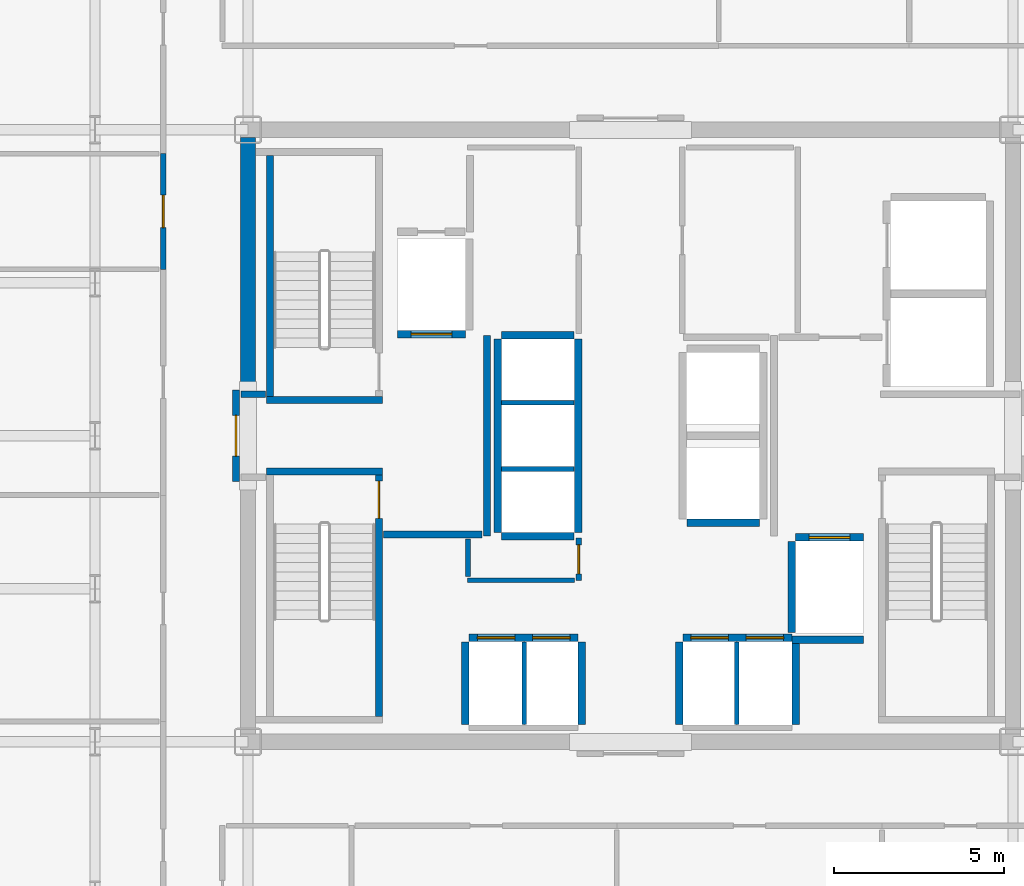
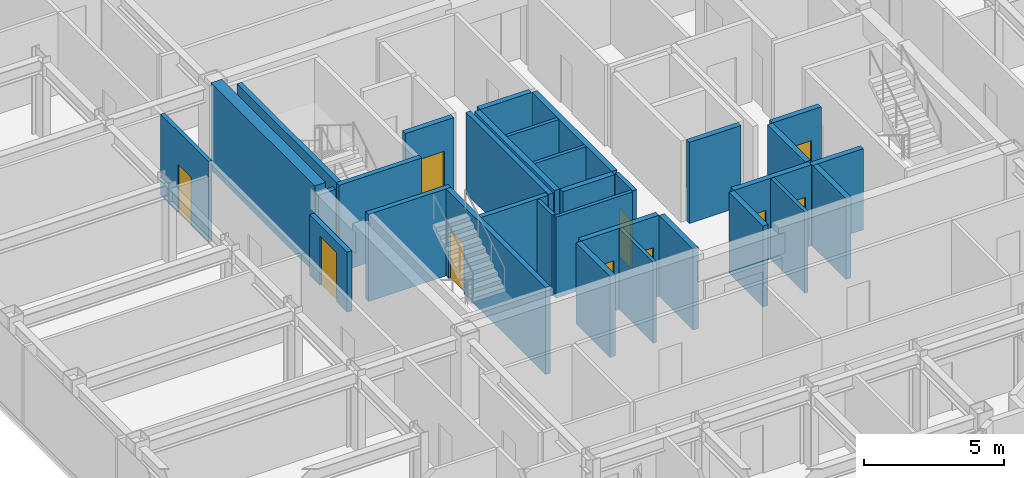
# One storey, part 15 of 20: 32 walls, 10 doors, 10 openings.
"""IFC4 building model written with IfcOpenShell, lengths in metres."""

from ifc_helpers import new_model, si_unit, direction, frame, frame_2d, origin, place, context, subcontext, project, spatial, rectangle, extrude, source, transform, mapped, material, layer, layer_set, type_object, element, fill, save


model = new_model("IFC4")

# Units and contexts
model_context = context("Model", 3, precision=1e-05, world=origin(), true_north=direction((0.0, 1.0)))
body_context = subcontext(model_context, "Body", "Model", "MODEL_VIEW")
ifc_project = project(units=[si_unit("LENGTHUNIT", "METRE"), si_unit("AREAUNIT", "SQUARE_METRE"), si_unit("VOLUMEUNIT", "CUBIC_METRE"), si_unit("PLANEANGLEUNIT", "RADIAN"), si_unit("MASSUNIT", "GRAM", prefix="KILO")], contexts=[model_context])

# Site, building, storey
site_placement = place(None, origin())
site = spatial("IfcSite", under=ifc_project, at=site_placement, CompositionType="ELEMENT")
building_placement = place(site_placement, origin())
building = spatial("IfcBuilding", under=site, at=building_placement, Name="Nefas-Gora Pilgrimage Tower", CompositionType="ELEMENT")
storey_placement = place(building_placement, frame((0.0, 0.0, 214.199951171875)))
storey = spatial("IfcBuildingStorey", under=building, at=storey_placement, Name="L53", CompositionType="ELEMENT", Elevation=214.199951171875)

# Walls
ifc_material_1 = material(Name="Concrete C50/60", Category="concrete")
ifc_layer_1 = layer(ifc_material_1, 0.449951171875)
ifc_layer_set_1 = layer_set([ifc_layer_1], Name="Concrete C50/60")
wall_type_1 = type_object("IfcWallType", Name="SW-CORE-450", PredefinedType="SHEAR", material=ifc_layer_set_1)
shared_shape_1 = source(origin(), body_context, "Body", "SweptSolid", [
    extrude(rectangle(XDim=7.4248046875, YDim=0.449951171875, at=frame_2d((3.71240234375, 0.0))), origin(), (0.0, 0.0, 1.0), 3.800048828125),
])
wall_1_placement = place(storey_placement, frame((-11.25, 1.35009765625, 0.0), z_axis=(0.0, 0.0, 1.0), x_axis=(0.0, 1.0, 0.0)))
element("IfcWall", 1, at=wall_1_placement, inside=storey, type_object=wall_type_1, Name="L53 Core Shear Wall W-North", PredefinedType="SHEAR", context=body_context, shape_type="MappedRepresentation", body=[
    mapped(shared_shape_1, transform((0.0, 0.0, 0.0), x_axis=(1.0, 0.0, 0.0), y_axis=(0.0, 1.0, 0.0), z_axis=(0.0, 0.0, 1.0), scale=1.0)),
])
ifc_material_2 = material(Name="Concrete C45/55", Category="concrete")
ifc_layer_2 = layer(ifc_material_2, 0.199951171875)
ifc_layer_set_2 = layer_set([ifc_layer_2], Name="Concrete C45/55")
wall_type_2 = type_object("IfcWallType", Name="IW-STAIR-200", PredefinedType="SOLIDWALL", material=ifc_layer_set_2)
shared_shape_2 = source(origin(), body_context, "Body", "SweptSolid", [
    extrude(rectangle(XDim=3.39990234375, YDim=0.199951171875, at=frame_2d((1.699951171875, 0.0))), origin(), (0.0, 0.0, 1.0), 3.800048828125),
])
for number, where, z_axis, x_axis, name in (
    (2, (-7.300048828125, 1.050048828125, 0.0), (0.0, 0.0, 1.0), (-1.0, 0.0, 0.0), "L53 Stairwell Shear Wall ST-01-near"),
    (3, (-10.699951171875, -1.050048828125, 0.0), (0.0, 0.0, 1.0), (1.0, 0.0, 0.0), "L53 Stairwell Shear Wall ST-03-near"),
):
    element("IfcWall", number, at=place(storey_placement, frame(where, z_axis=z_axis, x_axis=x_axis)), inside=storey, type_object=wall_type_2, Name=name, PredefinedType="SOLIDWALL", context=body_context, shape_type="MappedRepresentation", body=[
        mapped(shared_shape_2, transform((0.0, 0.0, 0.0), x_axis=(1.0, 0.0, 0.0), y_axis=(0.0, 1.0, 0.0), z_axis=(0.0, 0.0, 1.0), scale=1.0)),
    ])
shared_shape_3 = source(origin(), body_context, "Body", "SweptSolid", [
    extrude(rectangle(XDim=7.10009765625, YDim=0.199951171875, at=frame_2d((3.550048828125, 0.0))), origin(), (0.0, 0.0, 1.0), 3.800048828125),
])
wall_2_placement = place(storey_placement, frame((-10.60009765625, 1.14990234375, 0.0), z_axis=(0.0, 0.0, 1.0), x_axis=(0.0, 1.0, 0.0)))
element("IfcWall", 4, at=wall_2_placement, inside=storey, type_object=wall_type_2, Name="L53 Stairwell Shear Wall ST-01-right", PredefinedType="SOLIDWALL", context=body_context, shape_type="MappedRepresentation", body=[
    mapped(shared_shape_3, transform((0.0, 0.0, 0.0), x_axis=(1.0, 0.0, 0.0), y_axis=(0.0, 1.0, 0.0), z_axis=(0.0, 0.0, 1.0), scale=1.0)),
])

# Wall, opening, door
wall_3_placement = place(storey_placement, frame((-7.39990234375, -1.14990234375, 0.0), z_axis=(0.0, 0.0, 1.0), x_axis=(0.0, -1.0, 0.0)))
wall_3 = element("IfcWall", 5, at=wall_3_placement, inside=storey, type_object=wall_type_2, Name="L53 Stairwell Shear Wall ST-03-right", PredefinedType="SOLIDWALL", context=body_context, shape_type="MappedRepresentation", body=[
    mapped(shared_shape_3, transform((0.0, 0.0, 0.0), x_axis=(1.0, 0.0, 0.0), y_axis=(0.0, 1.0, 0.0), z_axis=(0.0, 0.0, 1.0), scale=1.0)),
])
opening_1_placement = place(wall_3_placement, frame((0.179931640625, 0.0, 0.0)))
opening_1 = element("IfcOpeningElement", 6, at=opening_1_placement, cuts=wall_3, Name="Opening ID-ST1", PredefinedType="OPENING", context=body_context, shape_type="SweptSolid", body=[
    extrude(rectangle(XDim=1.10009765625, YDim=2.14990234375, at=frame_2d((0.550048828125, 1.074951171875))), frame((0.0, 0.10986328125, 0.0), z_axis=(0.0, -1.0, 0.0), x_axis=(1.0, 0.0, 0.0)), (0.0, 0.0, 1.0), 0.219970703125),
])
ifc_material_3 = material(Name="Painted galvanised steel fire stair door", Category="steel")
door_type_1 = type_object("IfcDoorType", Name="DR-INT-STAIR-1100", OperationType="NOTDEFINED", PredefinedType="DOOR", material=ifc_material_3)
shared_shape_4 = source(origin(), body_context, "Body", "SweptSolid", [
    extrude(rectangle(XDim=1.10009765625, YDim=2.14990234375, at=frame_2d((0.550048828125, 1.074951171875))), frame((0.0, 0.02490234375, 0.0), z_axis=(0.0, -1.0, 0.0), x_axis=(1.0, 0.0, 0.0)), (0.0, 0.0, 1.0), 0.050048828125),
])
door_1_placement = place(opening_1_placement, origin())
door_1 = element("IfcDoor", 7, at=door_1_placement, inside=storey, type_object=door_type_1, Name="L53 Protected Exit Stair Door ST-03", OperationType="SINGLE_SWING_LEFT", OverallHeight=2.14990234375, OverallWidth=1.10009765625, PredefinedType="DOOR", context=body_context, shape_type="MappedRepresentation", body=[
    mapped(shared_shape_4, transform((0.0, 0.0, 0.0), x_axis=(1.0, 0.0, 0.0), y_axis=(0.0, 1.0, 0.0), z_axis=(0.0, 0.0, 1.0), scale=1.0)),
])
fill(opening_1, door_1)

ifc_material_4 = material(Name="Concrete C40/50", Category="concrete")
ifc_layer_3 = layer(ifc_material_4, 0.219970703125)
ifc_layer_set_3 = layer_set([ifc_layer_3], Name="Concrete C40/50")
wall_type_3 = type_object("IfcWallType", Name="IW-SHAFT-220", PredefinedType="SOLIDWALL", material=ifc_layer_set_3)
shared_shape_5 = source(origin(), body_context, "Body", "SweptSolid", [
    extrude(rectangle(XDim=2.0, YDim=0.219970703125, at=frame_2d((1.0, 0.0))), origin(), (0.0, 0.0, 1.0), 3.53515625),
])
wall_4_placement = place(storey_placement, frame((-6.85009765625, 2.989990234375, 0.0), z_axis=(0.0, 0.0, 1.0), x_axis=(1.0, 0.0, 0.0)))
wall_4 = element("IfcWall", 8, at=wall_4_placement, inside=storey, type_object=wall_type_3, Name="L53 Hoistway Wall FFL-01-S", PredefinedType="SOLIDWALL", context=body_context, shape_type="MappedRepresentation", body=[
    mapped(shared_shape_5, transform((0.0, 0.0, 0.0), x_axis=(1.0, 0.0, 0.0), y_axis=(0.0, 1.0, 0.0), z_axis=(0.0, 0.0, 1.0), scale=1.0)),
])
opening_2_placement = place(wall_4_placement, frame((0.39990234375, 0.0, 0.0)))
opening_2 = element("IfcOpeningElement", 9, at=opening_2_placement, cuts=wall_4, Name="Opening LD-FF", PredefinedType="OPENING", context=body_context, shape_type="SweptSolid", body=[
    extrude(rectangle(XDim=1.199951171875, YDim=2.199951171875, at=frame_2d((0.60009765625, 1.10009765625))), frame((0.0, 0.119873046875, 0.0), z_axis=(0.0, -1.0, 0.0), x_axis=(1.0, 0.0, 0.0)), (0.0, 0.0, 1.0), 0.239990234375),
])
ifc_material_5 = material(Name="Fire-service sliding lift landing door")
door_type_2 = type_object("IfcDoorType", Name="DR-LIFT-FSAE-1200", OperationType="SLIDING_TO_LEFT", PredefinedType="DOOR", material=ifc_material_5)
shared_shape_6 = source(origin(), body_context, "Body", "SweptSolid", [
    extrude(rectangle(XDim=1.199951171875, YDim=2.199951171875, at=frame_2d((0.60009765625, 1.10009765625))), frame((0.0, 0.02490234375, 0.0), z_axis=(0.0, -1.0, 0.0), x_axis=(1.0, 0.0, 0.0)), (0.0, 0.0, 1.0), 0.050048828125),
])
door_2_placement = place(opening_2_placement, origin())
door_2 = element("IfcDoor", 10, at=door_2_placement, inside=storey, type_object=door_type_2, Name="L53 Sliding Lift Landing Door FFL-01", OperationType="SLIDING_TO_LEFT", OverallHeight=2.199951171875, OverallWidth=1.199951171875, PredefinedType="DOOR", context=body_context, shape_type="MappedRepresentation", body=[
    mapped(shared_shape_6, transform((0.0, 0.0, 0.0), x_axis=(1.0, 0.0, 0.0), y_axis=(0.0, 1.0, 0.0), z_axis=(0.0, 0.0, 1.0), scale=1.0)),
])
fill(opening_2, door_2)

wall_5_placement = place(storey_placement, frame((6.85009765625, -2.989990234375, 0.0), z_axis=(0.0, 0.0, 1.0), x_axis=(-1.0, 0.0, 0.0)))
wall_5 = element("IfcWall", 11, at=wall_5_placement, inside=storey, type_object=wall_type_3, Name="L53 Hoistway Wall FFL-02-N", PredefinedType="SOLIDWALL", context=body_context, shape_type="MappedRepresentation", body=[
    mapped(shared_shape_5, transform((0.0, 0.0, 0.0), x_axis=(1.0, 0.0, 0.0), y_axis=(0.0, 1.0, 0.0), z_axis=(0.0, 0.0, 1.0), scale=1.0)),
])
opening_3_placement = place(wall_5_placement, frame((0.39990234375, 0.0, 0.0)))
opening_3 = element("IfcOpeningElement", 12, at=opening_3_placement, cuts=wall_5, Name="Opening LD-FF", PredefinedType="OPENING", context=body_context, shape_type="SweptSolid", body=[
    extrude(rectangle(XDim=1.199951171875, YDim=2.199951171875, at=frame_2d((0.60009765625, 1.10009765625))), frame((0.0, 0.119873046875, 0.0), z_axis=(0.0, -1.0, 0.0), x_axis=(1.0, 0.0, 0.0)), (0.0, 0.0, 1.0), 0.239990234375),
])
door_3_placement = place(opening_3_placement, origin())
door_3 = element("IfcDoor", 13, at=door_3_placement, inside=storey, type_object=door_type_2, Name="L53 Sliding Lift Landing Door FFL-02", OperationType="SLIDING_TO_LEFT", OverallHeight=2.199951171875, OverallWidth=1.199951171875, PredefinedType="DOOR", context=body_context, shape_type="MappedRepresentation", body=[
    mapped(shared_shape_6, transform((0.0, 0.0, 0.0), x_axis=(1.0, 0.0, 0.0), y_axis=(0.0, 1.0, 0.0), z_axis=(0.0, 0.0, 1.0), scale=1.0)),
])
fill(opening_3, door_3)

# Wall
shared_shape_7 = source(origin(), body_context, "Body", "SweptSolid", [
    extrude(rectangle(XDim=2.679931640625, YDim=0.219970703125, at=frame_2d((1.33984375, 0.0))), origin(), (0.0, 0.0, 1.0), 3.53515625),
])
wall_6_placement = place(storey_placement, frame((4.739990234375, -3.110107421875, 0.0), z_axis=(0.0, 0.0, 1.0), x_axis=(0.0, -1.0, 0.0)))
element("IfcWall", 14, at=wall_6_placement, inside=storey, type_object=wall_type_3, Name="L53 Hoistway Wall FFL-02-W", PredefinedType="SOLIDWALL", context=body_context, shape_type="MappedRepresentation", body=[
    mapped(shared_shape_7, transform((0.0, 0.0, 0.0), x_axis=(1.0, 0.0, 0.0), y_axis=(0.0, 1.0, 0.0), z_axis=(0.0, 0.0, 1.0), scale=1.0)),
])

# Wall, openings, doors
shared_shape_8 = source(origin(), body_context, "Body", "SweptSolid", [
    extrude(rectangle(XDim=3.199951171875, YDim=0.219970703125, at=frame_2d((1.60009765625, 0.0))), origin(), (0.0, 0.0, 1.0), 3.53515625),
])
wall_7_placement = place(storey_placement, frame((-1.550048828125, -5.93994140625, 0.0), z_axis=(0.0, 0.0, 1.0), x_axis=(-1.0, 0.0, 0.0)))
wall_7 = element("IfcWall", 15, at=wall_7_placement, inside=storey, type_object=wall_type_3, Name="L53 Hoistway Wall PL2-W-N", PredefinedType="SOLIDWALL", context=body_context, shape_type="MappedRepresentation", body=[
    mapped(shared_shape_8, transform((0.0, 0.0, 0.0), x_axis=(1.0, 0.0, 0.0), y_axis=(0.0, 1.0, 0.0), z_axis=(0.0, 0.0, 1.0), scale=1.0)),
])
opening_4_placement = place(wall_7_placement, frame((1.85009765625, 0.0, 0.0)))
opening_4 = element("IfcOpeningElement", 16, at=opening_4_placement, cuts=wall_7, Name="Opening LD-01", PredefinedType="OPENING", context=body_context, shape_type="SweptSolid", body=[
    extrude(rectangle(XDim=1.10009765625, YDim=2.199951171875, at=frame_2d((0.550048828125, 1.10009765625))), frame((0.0, 0.119873046875, 0.0), z_axis=(0.0, -1.0, 0.0), x_axis=(1.0, 0.0, 0.0)), (0.0, 0.0, 1.0), 0.239990234375),
])
opening_5_placement = place(wall_7_placement, frame((0.22509765625, 0.0, 0.0)))
opening_5 = element("IfcOpeningElement", 17, at=opening_5_placement, cuts=wall_7, Name="Opening LD-01", PredefinedType="OPENING", context=body_context, shape_type="SweptSolid", body=[
    extrude(rectangle(XDim=1.10009765625, YDim=2.199951171875, at=frame_2d((0.550048828125, 1.10009765625))), frame((0.0, 0.119873046875, 0.0), z_axis=(0.0, -1.0, 0.0), x_axis=(1.0, 0.0, 0.0)), (0.0, 0.0, 1.0), 0.239990234375),
])
ifc_material_6 = material(Name="Brushed stainless sliding lift landing door")
door_type_3 = type_object("IfcDoorType", Name="DR-LIFT-PASS-1100", OperationType="DOUBLE_DOOR_SLIDING", PredefinedType="DOOR", material=ifc_material_6)
shared_shape_9 = source(origin(), body_context, "Body", "SweptSolid", [
    extrude(rectangle(XDim=1.10009765625, YDim=2.199951171875, at=frame_2d((0.550048828125, 1.10009765625))), frame((0.0, 0.02490234375, 0.0), z_axis=(0.0, -1.0, 0.0), x_axis=(1.0, 0.0, 0.0)), (0.0, 0.0, 1.0), 0.050048828125),
])
door_4_placement = place(opening_4_placement, origin())
door_4 = element("IfcDoor", 18, at=door_4_placement, inside=storey, type_object=door_type_3, Name="L53 Sliding Lift Landing Door PL2-01", OperationType="DOUBLE_DOOR_SLIDING", OverallHeight=2.199951171875, OverallWidth=1.10009765625, PredefinedType="DOOR", context=body_context, shape_type="MappedRepresentation", body=[
    mapped(shared_shape_9, transform((0.0, 0.0, 0.0), x_axis=(1.0, 0.0, 0.0), y_axis=(0.0, 1.0, 0.0), z_axis=(0.0, 0.0, 1.0), scale=1.0)),
])
fill(opening_4, door_4)
door_5_placement = place(opening_5_placement, origin())
door_5 = element("IfcDoor", 19, at=door_5_placement, inside=storey, type_object=door_type_3, Name="L53 Sliding Lift Landing Door PL2-02", OperationType="DOUBLE_DOOR_SLIDING", OverallHeight=2.199951171875, OverallWidth=1.10009765625, PredefinedType="DOOR", context=body_context, shape_type="MappedRepresentation", body=[
    mapped(shared_shape_9, transform((0.0, 0.0, 0.0), x_axis=(1.0, 0.0, 0.0), y_axis=(0.0, 1.0, 0.0), z_axis=(0.0, 0.0, 1.0), scale=1.0)),
])
fill(opening_5, door_5)

wall_8_placement = place(storey_placement, frame((4.75, -5.93994140625, 0.0), z_axis=(0.0, 0.0, 1.0), x_axis=(-1.0, 0.0, 0.0)))
wall_8 = element("IfcWall", 20, at=wall_8_placement, inside=storey, type_object=wall_type_3, Name="L53 Hoistway Wall PL2-E-N", PredefinedType="SOLIDWALL", context=body_context, shape_type="MappedRepresentation", body=[
    mapped(shared_shape_8, transform((0.0, 0.0, 0.0), x_axis=(1.0, 0.0, 0.0), y_axis=(0.0, 1.0, 0.0), z_axis=(0.0, 0.0, 1.0), scale=1.0)),
])
opening_6_placement = place(wall_8_placement, frame((1.875, 0.0, 0.0)))
opening_6 = element("IfcOpeningElement", 21, at=opening_6_placement, cuts=wall_8, Name="Opening LD-01", PredefinedType="OPENING", context=body_context, shape_type="SweptSolid", body=[
    extrude(rectangle(XDim=1.10009765625, YDim=2.199951171875, at=frame_2d((0.550048828125, 1.10009765625))), frame((0.0, 0.119873046875, 0.0), z_axis=(0.0, -1.0, 0.0), x_axis=(1.0, 0.0, 0.0)), (0.0, 0.0, 1.0), 0.239990234375),
])
opening_7_placement = place(wall_8_placement, frame((0.25, 0.0, 0.0)))
opening_7 = element("IfcOpeningElement", 22, at=opening_7_placement, cuts=wall_8, Name="Opening LD-01", PredefinedType="OPENING", context=body_context, shape_type="SweptSolid", body=[
    extrude(rectangle(XDim=1.10009765625, YDim=2.199951171875, at=frame_2d((0.550048828125, 1.10009765625))), frame((0.0, 0.119873046875, 0.0), z_axis=(0.0, -1.0, 0.0), x_axis=(1.0, 0.0, 0.0)), (0.0, 0.0, 1.0), 0.239990234375),
])
door_6_placement = place(opening_6_placement, origin())
door_6 = element("IfcDoor", 23, at=door_6_placement, inside=storey, type_object=door_type_3, Name="L53 Sliding Lift Landing Door PL2-03", OperationType="DOUBLE_DOOR_SLIDING", OverallHeight=2.199951171875, OverallWidth=1.10009765625, PredefinedType="DOOR", context=body_context, shape_type="MappedRepresentation", body=[
    mapped(shared_shape_9, transform((0.0, 0.0, 0.0), x_axis=(1.0, 0.0, 0.0), y_axis=(0.0, 1.0, 0.0), z_axis=(0.0, 0.0, 1.0), scale=1.0)),
])
fill(opening_6, door_6)
door_7_placement = place(opening_7_placement, origin())
door_7 = element("IfcDoor", 24, at=door_7_placement, inside=storey, type_object=door_type_3, Name="L53 Sliding Lift Landing Door PL2-04", OperationType="DOUBLE_DOOR_SLIDING", OverallHeight=2.199951171875, OverallWidth=1.10009765625, PredefinedType="DOOR", context=body_context, shape_type="MappedRepresentation", body=[
    mapped(shared_shape_9, transform((0.0, 0.0, 0.0), x_axis=(1.0, 0.0, 0.0), y_axis=(0.0, 1.0, 0.0), z_axis=(0.0, 0.0, 1.0), scale=1.0)),
])
fill(opening_7, door_7)

# Walls
shared_shape_10 = source(origin(), body_context, "Body", "SweptSolid", [
    extrude(rectangle(XDim=2.429931640625, YDim=0.219970703125, at=frame_2d((1.21484375, 0.0))), origin(), (0.0, 0.0, 1.0), 3.53515625),
])
for number, where, z_axis, x_axis, name in (
    (25, (-4.860107421875, -6.06005859375, 0.0), (0.0, 0.0, 1.0), (0.0, -1.0, 0.0), "L53 Hoistway Wall PL2-W-W"),
    (26, (-1.43994140625, -8.489990234375, 0.0), (0.0, 0.0, 1.0), (0.0, 1.0, 0.0), "L53 Hoistway Wall PL2-W-E"),
    (27, (1.43994140625, -6.06005859375, 0.0), (0.0, 0.0, 1.0), (0.0, -1.0, 0.0), "L53 Hoistway Wall PL2-E-W"),
    (28, (4.860107421875, -8.489990234375, 0.0), (0.0, 0.0, 1.0), (0.0, 1.0, 0.0), "L53 Hoistway Wall PL2-E-E"),
):
    element("IfcWall", number, at=place(storey_placement, frame(where, z_axis=z_axis, x_axis=x_axis)), inside=storey, type_object=wall_type_3, Name=name, PredefinedType="SOLIDWALL", context=body_context, shape_type="MappedRepresentation", body=[
        mapped(shared_shape_10, transform((0.0, 0.0, 0.0), x_axis=(1.0, 0.0, 0.0), y_axis=(0.0, 1.0, 0.0), z_axis=(0.0, 0.0, 1.0), scale=1.0)),
    ])
ifc_material_7 = material(Name="Gypsum twin-stud partition")
ifc_layer_4 = layer(ifc_material_7, 0.139892578125)
ifc_layer_set_4 = layer_set([ifc_layer_4], Name="Gypsum twin-stud partition")
wall_type_4 = type_object("IfcWallType", Name="IW-UNIT-140", PredefinedType="PARTITIONING", material=ifc_layer_set_4)
shared_shape_11 = source(origin(), body_context, "Body", "SweptSolid", [
    extrude(rectangle(XDim=2.429931640625, YDim=0.139892578125, at=frame_2d((1.21484375, 0.0))), origin(), (0.0, 0.0, 1.0), 3.53515625),
])
for number, where, z_axis, x_axis, name in (
    (29, (-3.125, -8.489990234375, 0.0), (0.0, 0.0, 1.0), (0.0, 1.0, 0.0), "L53 Hoistway Wall PL2-W-DIV"),
    (30, (3.125, -8.489990234375, 0.0), (0.0, 0.0, 1.0), (0.0, 1.0, 0.0), "L53 Hoistway Wall PL2-E-DIV"),
):
    element("IfcWall", number, at=place(storey_placement, frame(where, z_axis=z_axis, x_axis=x_axis)), inside=storey, type_object=wall_type_4, Name=name, PredefinedType="PARTITIONING", context=body_context, shape_type="MappedRepresentation", body=[
        mapped(shared_shape_11, transform((0.0, 0.0, 0.0), x_axis=(1.0, 0.0, 0.0), y_axis=(0.0, 1.0, 0.0), z_axis=(0.0, 0.0, 1.0), scale=1.0)),
    ])
shared_shape_12 = source(origin(), body_context, "Body", "SweptSolid", [
    extrude(rectangle(XDim=5.7001953125, YDim=0.219970703125, at=frame_2d((2.85009765625, 0.0))), origin(), (0.0, 0.0, 1.0), 3.53515625),
])
for number, where, z_axis, x_axis, name in (
    (31, (-1.5400390625, -2.85009765625, 0.0), (0.0, 0.0, 1.0), (0.0, 1.0, 0.0), "L53 Hoistway Wall PL3-01-03-E"),
    (32, (-3.909912109375, 2.85009765625, 0.0), (0.0, 0.0, 1.0), (0.0, -1.0, 0.0), "L53 Hoistway Wall PL3-01-03-W"),
):
    element("IfcWall", number, at=place(storey_placement, frame(where, z_axis=z_axis, x_axis=x_axis)), inside=storey, type_object=wall_type_3, Name=name, PredefinedType="SOLIDWALL", context=body_context, shape_type="MappedRepresentation", body=[
        mapped(shared_shape_12, transform((0.0, 0.0, 0.0), x_axis=(1.0, 0.0, 0.0), y_axis=(0.0, 1.0, 0.0), z_axis=(0.0, 0.0, 1.0), scale=1.0)),
    ])
shared_shape_13 = source(origin(), body_context, "Body", "SweptSolid", [
    extrude(rectangle(XDim=2.130126953125, YDim=0.219970703125, at=frame_2d((1.06494140625, 0.0))), origin(), (0.0, 0.0, 1.0), 3.53515625),
])
for number, where, z_axis, x_axis, name in (
    (33, (-3.7900390625, -2.9599609375, 0.0), (0.0, 0.0, 1.0), (1.0, 0.0, 0.0), "L53 Hoistway Wall PL3-01-S"),
    (34, (-1.659912109375, 2.9599609375, 0.0), (0.0, 0.0, 1.0), (-1.0, 0.0, 0.0), "L53 Hoistway Wall PL3-03-N"),
    (35, (1.659912109375, -2.56005859375, 0.0), (0.0, 0.0, 1.0), (1.0, 0.0, 0.0), "L53 Hoistway Wall OBS-01-S"),
):
    element("IfcWall", number, at=place(storey_placement, frame(where, z_axis=z_axis, x_axis=x_axis)), inside=storey, type_object=wall_type_3, Name=name, PredefinedType="SOLIDWALL", context=body_context, shape_type="MappedRepresentation", body=[
        mapped(shared_shape_13, transform((0.0, 0.0, 0.0), x_axis=(1.0, 0.0, 0.0), y_axis=(0.0, 1.0, 0.0), z_axis=(0.0, 0.0, 1.0), scale=1.0)),
    ])
shared_shape_14 = source(origin(), body_context, "Body", "SweptSolid", [
    extrude(rectangle(XDim=2.130126953125, YDim=0.139892578125, at=frame_2d((1.06494140625, 0.0))), origin(), (0.0, 0.0, 1.0), 3.53515625),
])
for number, where, z_axis, x_axis, name in (
    (36, (-3.7900390625, -0.97509765625, 0.0), (0.0, 0.0, 1.0), (1.0, 0.0, 0.0), "L53 Hoistway Wall PL3-01-02-DIV"),
    (37, (-3.7900390625, 0.97509765625, 0.0), (0.0, 0.0, 1.0), (1.0, 0.0, 0.0), "L53 Hoistway Wall PL3-02-03-DIV"),
):
    element("IfcWall", number, at=place(storey_placement, frame(where, z_axis=z_axis, x_axis=x_axis)), inside=storey, type_object=wall_type_4, Name=name, PredefinedType="PARTITIONING", context=body_context, shape_type="MappedRepresentation", body=[
        mapped(shared_shape_14, transform((0.0, 0.0, 0.0), x_axis=(1.0, 0.0, 0.0), y_axis=(0.0, 1.0, 0.0), z_axis=(0.0, 0.0, 1.0), scale=1.0)),
    ])
shared_shape_15 = source(origin(), body_context, "Body", "SweptSolid", [
    extrude(rectangle(XDim=2.09521484375, YDim=0.219970703125, at=frame_2d((1.047607421875, 0.0))), origin(), (0.0, 0.0, 1.0), 3.53515625),
])
wall_9_placement = place(storey_placement, frame((4.7548828125, -6.0, 0.0), z_axis=(0.0, 0.0, 1.0), x_axis=(1.0, 0.0, 0.0)))
element("IfcWall", 38, at=wall_9_placement, inside=storey, type_object=wall_type_3, Name="L53 Riser Shaft Wall 3", PredefinedType="SOLIDWALL", context=body_context, shape_type="MappedRepresentation", body=[
    mapped(shared_shape_15, transform((0.0, 0.0, 0.0), x_axis=(1.0, 0.0, 0.0), y_axis=(0.0, 1.0, 0.0), z_axis=(0.0, 0.0, 1.0), scale=1.0)),
])
ifc_material_8 = material(Name="Gypsum fire-rated shaftwall")
ifc_layer_5 = layer(ifc_material_8, 0.199951171875)
ifc_layer_set_5 = layer_set([ifc_layer_5], Name="Gypsum fire-rated shaftwall")
wall_type_5 = type_object("IfcWallType", Name="IW-FFLOB-200", PredefinedType="PARTITIONING", material=ifc_layer_set_5)
shared_shape_16 = source(origin(), body_context, "Body", "SweptSolid", [
    extrude(rectangle(XDim=5.89990234375, YDim=0.199951171875, at=frame_2d((2.949951171875, 0.0))), origin(), (0.0, 0.0, 1.0), 3.53515625),
])
wall_10_placement = place(storey_placement, frame((-4.219970703125, -2.949951171875, 0.0), z_axis=(0.0, 0.0, 1.0), x_axis=(0.0, 1.0, 0.0)))
element("IfcWall", 39, at=wall_10_placement, inside=storey, type_object=wall_type_5, Name="L53 FF Lobby West Inner Wall Wall 5", PredefinedType="PARTITIONING", context=body_context, shape_type="MappedRepresentation", body=[
    mapped(shared_shape_16, transform((0.0, 0.0, 0.0), x_axis=(1.0, 0.0, 0.0), y_axis=(0.0, 1.0, 0.0), z_axis=(0.0, 0.0, 1.0), scale=1.0)),
])
shared_shape_17 = source(origin(), body_context, "Body", "SweptSolid", [
    extrude(rectangle(XDim=2.89990234375, YDim=0.199951171875, at=frame_2d((1.449951171875, 0.0))), origin(), (0.0, 0.0, 1.0), 3.53515625),
])
wall_11_placement = place(storey_placement, frame((-7.260009765625, -2.89990234375, 0.0), z_axis=(0.0, 0.0, 1.0), x_axis=(1.0, 0.0, 0.0)))
element("IfcWall", 40, at=wall_11_placement, inside=storey, type_object=wall_type_5, Name="L53 FF Lobby West South Wall Wall 6", PredefinedType="PARTITIONING", context=body_context, shape_type="MappedRepresentation", body=[
    mapped(shared_shape_17, transform((0.0, 0.0, 0.0), x_axis=(1.0, 0.0, 0.0), y_axis=(0.0, 1.0, 0.0), z_axis=(0.0, 0.0, 1.0), scale=1.0)),
])
shared_shape_18 = source(origin(), body_context, "Body", "SweptSolid", [
    extrude(rectangle(XDim=0.719970703125, YDim=0.199951171875, at=frame_2d((0.35986328125, 0.0))), origin(), (0.0, 0.0, 1.0), 3.53515625),
])
wall_12_placement = place(storey_placement, frame((-11.4599609375, 1.219970703125, 0.0), z_axis=(0.0, 0.0, 1.0), x_axis=(1.0, 0.0, 0.0)))
element("IfcWall", 41, at=wall_12_placement, inside=storey, type_object=wall_type_5, Name="L53 FF Lobby West Throat N Wall 7", PredefinedType="PARTITIONING", context=body_context, shape_type="MappedRepresentation", body=[
    mapped(shared_shape_18, transform((0.0, 0.0, 0.0), x_axis=(1.0, 0.0, 0.0), y_axis=(0.0, 1.0, 0.0), z_axis=(0.0, 0.0, 1.0), scale=1.0)),
])
shared_shape_19 = source(origin(), body_context, "Body", "SweptSolid", [
    extrude(rectangle(XDim=3.150146484375, YDim=0.139892578125, at=frame_2d((1.5751953125, 0.0))), origin(), (0.0, 0.0, 1.0), 3.53515625),
])
wall_13_placement = place(storey_placement, frame((-4.7900390625, -4.25, 0.0), z_axis=(0.0, 0.0, 1.0), x_axis=(1.0, 0.0, 0.0)))
element("IfcWall", 42, at=wall_13_placement, inside=storey, type_object=wall_type_4, Name="L53 Pilgrim Baggage and Gear Vault Partition Wall 21", PredefinedType="PARTITIONING", context=body_context, shape_type="MappedRepresentation", body=[
    mapped(shared_shape_19, transform((0.0, 0.0, 0.0), x_axis=(1.0, 0.0, 0.0), y_axis=(0.0, 1.0, 0.0), z_axis=(0.0, 0.0, 1.0), scale=1.0)),
])

# Wall, opening, door
ifc_material_9 = material(Name="Gypsum acoustic stud partition")
ifc_layer_6 = layer(ifc_material_9, 0.159912109375)
ifc_layer_set_6 = layer_set([ifc_layer_6], Name="Gypsum acoustic stud partition")
wall_type_6 = type_object("IfcWallType", Name="IW-CORR-160", PredefinedType="PARTITIONING", material=ifc_layer_set_6)
shared_shape_20 = source(origin(), body_context, "Body", "SweptSolid", [
    extrude(rectangle(XDim=3.409912109375, YDim=0.159912109375, at=frame_2d((1.705078125, 0.0))), origin(), (0.0, 0.0, 1.0), 3.53515625),
])
wall_14_placement = place(storey_placement, frame((-13.739990234375, 4.89501953125, 0.0), z_axis=(0.0, 0.0, 1.0), x_axis=(0.0, 1.0, 0.0)))
wall_14 = element("IfcWall", 43, at=wall_14_placement, inside=storey, type_object=wall_type_6, Name="L53 Pastoral Chaplains Counselling Office Partition Wall 36", PredefinedType="PARTITIONING", context=body_context, shape_type="MappedRepresentation", body=[
    mapped(shared_shape_20, transform((0.0, 0.0, 0.0), x_axis=(1.0, 0.0, 0.0), y_axis=(0.0, 1.0, 0.0), z_axis=(0.0, 0.0, 1.0), scale=1.0)),
])
opening_8_placement = place(wall_14_placement, frame((1.22998046875, 0.0, 0.0)))
opening_8 = element("IfcOpeningElement", 44, at=opening_8_placement, cuts=wall_14, Name="Opening ID-GR1", PredefinedType="OPENING", context=body_context, shape_type="SweptSolid", body=[
    extrude(rectangle(XDim=0.949951171875, YDim=2.10009765625, at=frame_2d((0.47509765625, 1.050048828125))), frame((0.0, 0.08984375, 0.0), z_axis=(0.0, -1.0, 0.0), x_axis=(1.0, 0.0, 0.0)), (0.0, 0.0, 1.0), 0.179931640625),
])
ifc_material_10 = material(Name="Solid core oak fire-rated guest entrance door")
door_type_4 = type_object("IfcDoorType", Name="DR-INT-GUEST-950", OperationType="NOTDEFINED", PredefinedType="DOOR", material=ifc_material_10)
shared_shape_21 = source(origin(), body_context, "Body", "SweptSolid", [
    extrude(rectangle(XDim=0.949951171875, YDim=2.10009765625, at=frame_2d((0.47509765625, 1.050048828125))), frame((0.0, 0.02490234375, 0.0), z_axis=(0.0, -1.0, 0.0), x_axis=(1.0, 0.0, 0.0)), (0.0, 0.0, 1.0), 0.050048828125),
])
door_8_placement = place(opening_8_placement, origin())
door_8 = element("IfcDoor", 45, at=door_8_placement, inside=storey, type_object=door_type_4, Name="L53 Pastoral Chaplains Counselling Office Door 15", OperationType="SINGLE_SWING_LEFT", OverallHeight=2.10009765625, OverallWidth=0.949951171875, PredefinedType="DOOR", context=body_context, shape_type="MappedRepresentation", body=[
    mapped(shared_shape_21, transform((0.0, 0.0, 0.0), x_axis=(1.0, 0.0, 0.0), y_axis=(0.0, 1.0, 0.0), z_axis=(0.0, 0.0, 1.0), scale=1.0)),
])
fill(opening_8, door_8)

shared_shape_22 = source(origin(), body_context, "Body", "SweptSolid", [
    extrude(rectangle(XDim=1.25, YDim=0.159912109375, at=frame_2d((0.625, 0.0))), origin(), (0.0, 0.0, 1.0), 3.53515625),
])
wall_15_placement = place(storey_placement, frame((-1.52001953125, -4.260009765625, 0.0), z_axis=(0.0, 0.0, 1.0), x_axis=(0.0, 1.0, 0.0)))
wall_15 = element("IfcWall", 46, at=wall_15_placement, inside=storey, type_object=wall_type_6, Name="L53 Pilgrim Baggage and Gear Vault Wall 20", PredefinedType="PARTITIONING", context=body_context, shape_type="MappedRepresentation", body=[
    mapped(shared_shape_22, transform((0.0, 0.0, 0.0), x_axis=(1.0, 0.0, 0.0), y_axis=(0.0, 1.0, 0.0), z_axis=(0.0, 0.0, 1.0), scale=1.0)),
])
opening_9_placement = place(wall_15_placement, frame((0.199951171875, 0.0, 0.0)))
opening_9 = element("IfcOpeningElement", 47, at=opening_9_placement, cuts=wall_15, Name="Opening ID-BT1", PredefinedType="OPENING", context=body_context, shape_type="SweptSolid", body=[
    extrude(rectangle(XDim=0.85009765625, YDim=2.10009765625, at=frame_2d((0.425048828125, 1.050048828125))), frame((0.0, 0.08984375, 0.0), z_axis=(0.0, -1.0, 0.0), x_axis=(1.0, 0.0, 0.0)), (0.0, 0.0, 1.0), 0.179931640625),
])
ifc_material_11 = material(Name="Moisture-resistant fire-rated timber door", Category="wood")
door_type_5 = type_object("IfcDoorType", Name="DR-INT-BATH-850", OperationType="NOTDEFINED", PredefinedType="DOOR", material=ifc_material_11)
shared_shape_23 = source(origin(), body_context, "Body", "SweptSolid", [
    extrude(rectangle(XDim=0.85009765625, YDim=2.10009765625, at=frame_2d((0.425048828125, 1.050048828125))), frame((0.0, 0.02490234375, 0.0), z_axis=(0.0, -1.0, 0.0), x_axis=(1.0, 0.0, 0.0)), (0.0, 0.0, 1.0), 0.050048828125),
])
door_9_placement = place(opening_9_placement, origin())
door_9 = element("IfcDoor", 48, at=door_9_placement, inside=storey, type_object=door_type_5, Name="L53 Pilgrim Baggage and Gear Vault Door 8", OperationType="SINGLE_SWING_RIGHT", OverallHeight=2.10009765625, OverallWidth=0.85009765625, PredefinedType="DOOR", context=body_context, shape_type="MappedRepresentation", body=[
    mapped(shared_shape_23, transform((0.0, 0.0, 0.0), x_axis=(1.0, 0.0, 0.0), y_axis=(0.0, 1.0, 0.0), z_axis=(0.0, 0.0, 1.0), scale=1.0)),
])
fill(opening_9, door_9)

# Wall
shared_shape_24 = source(origin(), body_context, "Body", "SweptSolid", [
    extrude(rectangle(XDim=1.099853515625, YDim=0.139892578125, at=frame_2d((0.5498046875, 0.0))), origin(), (0.0, 0.0, 1.0), 3.53515625),
])
wall_16_placement = place(storey_placement, frame((-4.780029296875, -4.139892578125, 0.0), z_axis=(0.0, 0.0, 1.0), x_axis=(0.0, 1.0, 0.0)))
element("IfcWall", 49, at=wall_16_placement, inside=storey, type_object=wall_type_4, Name="L53 Pilgrim Baggage and Gear Vault Partition Wall 22", PredefinedType="PARTITIONING", context=body_context, shape_type="MappedRepresentation", body=[
    mapped(shared_shape_24, transform((0.0, 0.0, 0.0), x_axis=(1.0, 0.0, 0.0), y_axis=(0.0, 1.0, 0.0), z_axis=(0.0, 0.0, 1.0), scale=1.0)),
])

# Wall, opening, door
shared_shape_25 = source(origin(), body_context, "Body", "SweptSolid", [
    extrude(rectangle(XDim=2.7001953125, YDim=0.199951171875, at=frame_2d((1.35009765625, 0.0))), origin(), (0.0, 0.0, 1.0), 2.625),
])
wall_17_placement = place(storey_placement, frame((-11.60009765625, -1.35009765625, 0.0), z_axis=(0.0, 0.0, 1.0), x_axis=(0.0, 1.0, 0.0)))
wall_17 = element("IfcWall", 50, at=wall_17_placement, inside=storey, type_object=wall_type_5, Name="L53 FF Lobby West Portal Wall 4", PredefinedType="PARTITIONING", context=body_context, shape_type="MappedRepresentation", body=[
    mapped(shared_shape_25, transform((0.0, 0.0, 0.0), x_axis=(1.0, 0.0, 0.0), y_axis=(0.0, 1.0, 0.0), z_axis=(0.0, 0.0, 1.0), scale=1.0)),
])
opening_10_placement = place(wall_17_placement, frame((0.75, 0.0, 0.0)))
opening_10 = element("IfcOpeningElement", 51, at=opening_10_placement, cuts=wall_17, Name="Opening ID-FF1", PredefinedType="OPENING", context=body_context, shape_type="SweptSolid", body=[
    extrude(rectangle(XDim=1.199951171875, YDim=2.14990234375, at=frame_2d((0.60009765625, 1.074951171875))), frame((0.0, 0.10986328125, 0.0), z_axis=(0.0, -1.0, 0.0), x_axis=(1.0, 0.0, 0.0)), (0.0, 0.0, 1.0), 0.219970703125),
])
ifc_material_12 = material(Name="Smoke-sealed steel firefighting lobby door", Category="steel")
door_type_6 = type_object("IfcDoorType", Name="DR-INT-FFLOB-1200", OperationType="NOTDEFINED", PredefinedType="DOOR", material=ifc_material_12)
shared_shape_26 = source(origin(), body_context, "Body", "SweptSolid", [
    extrude(rectangle(XDim=1.199951171875, YDim=2.14990234375, at=frame_2d((0.60009765625, 1.074951171875))), frame((0.0, 0.02490234375, 0.0), z_axis=(0.0, -1.0, 0.0), x_axis=(1.0, 0.0, 0.0)), (0.0, 0.0, 1.0), 0.050048828125),
])
door_10_placement = place(opening_10_placement, origin())
door_10 = element("IfcDoor", 52, at=door_10_placement, inside=storey, type_object=door_type_6, Name="L53 FF Lobby West Portal Door 2", OperationType="SINGLE_SWING_RIGHT", OverallHeight=2.14990234375, OverallWidth=1.199951171875, PredefinedType="DOOR", context=body_context, shape_type="MappedRepresentation", body=[
    mapped(shared_shape_26, transform((0.0, 0.0, 0.0), x_axis=(1.0, 0.0, 0.0), y_axis=(0.0, 1.0, 0.0), z_axis=(0.0, 0.0, 1.0), scale=1.0)),
])
fill(opening_10, door_10)

save(model, "model.ifc")
